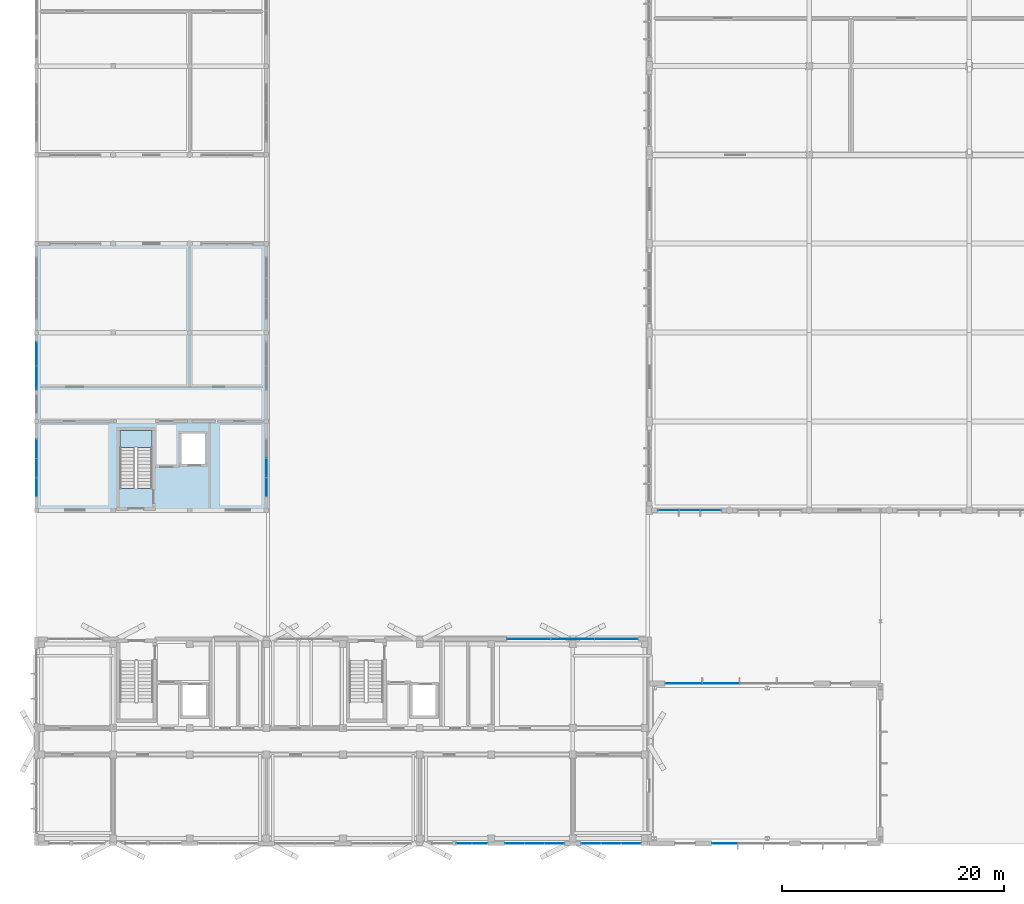
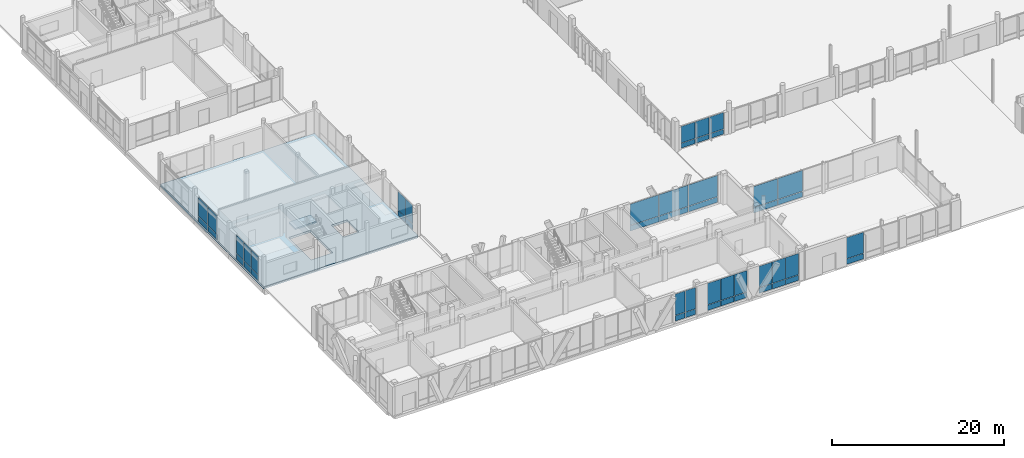
# One storey, part 177 of 233: 48 plates, 2 slabs, 11 elements without a shape of their own.
"""IFC4 building model written with IfcOpenShell, lengths in metres."""

from ifc_helpers import new_model, si_unit, direction, frame, origin, origin_2d, place, context, subcontext, project, spatial, polyline, rectangle, outline, extrude, material, layer, layer_set, type_object, element, aggregate, save


model = new_model("IFC4")

# Units and contexts
model_context = context("Model", 3, precision=1e-05, world=origin(), true_north=direction((0.0, 1.0)))
body_context = subcontext(model_context, "Body", "Model", "MODEL_VIEW")
ifc_project = project(units=[si_unit("LENGTHUNIT", "METRE"), si_unit("AREAUNIT", "SQUARE_METRE"), si_unit("VOLUMEUNIT", "CUBIC_METRE"), si_unit("PLANEANGLEUNIT", "RADIAN"), si_unit("MASSUNIT", "GRAM", prefix="KILO")], contexts=[model_context])

# Site, building, storey
site_placement = place(None, origin())
site = spatial("IfcSite", under=ifc_project, at=site_placement, CompositionType="ELEMENT")
building_placement = place(site_placement, origin())
building = spatial("IfcBuilding", under=site, at=building_placement, Name="Zavelmont Quarter", CompositionType="ELEMENT")
storey_placement = place(building_placement, origin())
storey = spatial("IfcBuildingStorey", under=building, at=storey_placement, Name="L00", CompositionType="ELEMENT", Elevation=0.0)

# Curtain wall, plates
ifc_material_1 = material(Name="Thermally broken aluminium and double low-E safety glazing", Category="aluminium")
curtain_wall_type_1 = type_object("IfcCurtainWallType", Name="CW-285X395", PredefinedType="NOTDEFINED", material=ifc_material_1)
curtain_wall_1_placement = place(storey_placement, origin())
curtain_wall_1 = element("IfcCurtainWall", 1, at=curtain_wall_1_placement, inside=storey, type_object=curtain_wall_type_1, Name="L00 unitised curtain wall CW-285X395", PredefinedType="NOTDEFINED")
ifc_material_2 = material(Name="Insulated anodised-aluminium spandrel panel", Category="aluminium")
ifc_layer_1 = layer(ifc_material_2, 0.0400390625)
ifc_layer_set_1 = layer_set([ifc_layer_1], Name="Insulated anodised-aluminium spandrel panel")
plate_type_1 = type_object("IfcPlateType", Name="CWP-SPD-1335X760", PredefinedType="CURTAIN_PANEL", material=ifc_layer_set_1)
plate_1_placement = place(storey_placement, frame((38.527587890625, 0.0, 0.06005859375), z_axis=(0.0, 0.0, 1.0), x_axis=(1.0, 0.0, 0.0)))
plate_1 = element("IfcPlate", 2, at=plate_1_placement, type_object=plate_type_1, Name="CW-285X395 panel 1.1", PredefinedType="CURTAIN_PANEL", context=body_context, shape_type="SweptSolid", body=[
    extrude(rectangle(XDim=1.3349609375, YDim=0.0400390625, at=origin_2d()), origin(), (0.0, 0.0, 1.0), 0.760009765625),
])
plate_2_placement = place(storey_placement, frame((39.922607421875, 0.0, 0.06005859375), z_axis=(0.0, 0.0, 1.0), x_axis=(1.0, 0.0, 0.0)))
plate_2 = element("IfcPlate", 3, at=plate_2_placement, type_object=plate_type_1, Name="CW-285X395 panel 2.1", PredefinedType="CURTAIN_PANEL", context=body_context, shape_type="SweptSolid", body=[
    extrude(rectangle(XDim=1.3349609375, YDim=0.0400390625, at=origin_2d()), origin(), (0.0, 0.0, 1.0), 0.760009765625),
])

curtain_wall_type_2 = type_object("IfcCurtainWallType", Name="CW-520X356", PredefinedType="NOTDEFINED", material=ifc_material_1)
curtain_wall_2_placement = place(storey_placement, origin())
curtain_wall_2 = element("IfcCurtainWall", 4, at=curtain_wall_2_placement, inside=storey, type_object=curtain_wall_type_2, Name="L00 unitised curtain wall CW-520X356", PredefinedType="NOTDEFINED")
ifc_layer_2 = layer(ifc_material_2, 0.0400390625)
ifc_layer_set_2 = layer_set([ifc_layer_2], Name="Insulated anodised-aluminium spandrel panel")
plate_type_2 = type_object("IfcPlateType", Name="CWP-SPD-1645X760", PredefinedType="CURTAIN_PANEL", material=ifc_layer_set_2)
plate_3_placement = place(storey_placement, frame((0.0, 32.081787109375, 0.06005859375), z_axis=(0.0, 0.0, 1.0), x_axis=(0.0, 1.0, 0.0)))
plate_3 = element("IfcPlate", 5, at=plate_3_placement, type_object=plate_type_2, Name="CW-520X356 panel 1.1", PredefinedType="CURTAIN_PANEL", context=body_context, shape_type="SweptSolid", body=[
    extrude(rectangle(XDim=1.643310546875, YDim=0.0400390625, at=origin_2d()), origin(), (0.0, 0.0, 1.0), 0.760009765625),
])
plate_4_placement = place(storey_placement, frame((0.0, 35.518310546875, 0.06005859375), z_axis=(0.0, 0.0, 1.0), x_axis=(0.0, 1.0, 0.0)))
plate_4 = element("IfcPlate", 6, at=plate_4_placement, type_object=plate_type_2, Name="CW-520X356 panel 3.1", PredefinedType="CURTAIN_PANEL", context=body_context, shape_type="SweptSolid", body=[
    extrude(rectangle(XDim=1.643310546875, YDim=0.0400390625, at=origin_2d()), origin(), (0.0, 0.0, 1.0), 0.760009765625),
])

# Curtain wall, plate
curtain_wall_3_placement = place(storey_placement, origin())
curtain_wall_3 = element("IfcCurtainWall", 7, at=curtain_wall_3_placement, inside=storey, type_object=curtain_wall_type_2, Name="L00 unitised curtain wall CW-520X356", PredefinedType="NOTDEFINED")
plate_5_placement = place(storey_placement, frame((20.699951171875, 32.081787109375, 0.06005859375), z_axis=(0.0, 0.0, 1.0), x_axis=(0.0, 1.0, 0.0)))
plate_5 = element("IfcPlate", 8, at=plate_5_placement, type_object=plate_type_2, Name="CW-520X356 panel 1.1", PredefinedType="CURTAIN_PANEL", context=body_context, shape_type="SweptSolid", body=[
    extrude(rectangle(XDim=1.643310546875, YDim=0.0400390625, at=origin_2d()), origin(), (0.0, 0.0, 1.0), 0.760009765625),
])

# Plate
ifc_layer_3 = layer(ifc_material_2, 0.0400390625)
ifc_layer_set_3 = layer_set([ifc_layer_3], Name="Insulated anodised-aluminium spandrel panel")
plate_type_3 = type_object("IfcPlateType", Name="CWP-SPD-1675X760", PredefinedType="CURTAIN_PANEL", material=ifc_layer_set_3)
plate_6_placement = place(storey_placement, frame((0.0, 33.800048828125, 0.06005859375), z_axis=(0.0, 0.0, 1.0), x_axis=(0.0, 1.0, 0.0)))
plate_6 = element("IfcPlate", 9, at=plate_6_placement, type_object=plate_type_3, Name="CW-520X356 panel 2.1", PredefinedType="CURTAIN_PANEL", context=body_context, shape_type="SweptSolid", body=[
    extrude(rectangle(XDim=1.67333984375, YDim=0.0400390625, at=origin_2d()), origin(), (0.0, 0.0, 1.0), 0.760009765625),
])

plate_7_placement = place(storey_placement, frame((20.699951171875, 33.800048828125, 0.06005859375), z_axis=(0.0, 0.0, 1.0), x_axis=(0.0, 1.0, 0.0)))
plate_7 = element("IfcPlate", 10, at=plate_7_placement, type_object=plate_type_3, Name="CW-520X356 panel 2.1", PredefinedType="CURTAIN_PANEL", context=body_context, shape_type="SweptSolid", body=[
    extrude(rectangle(XDim=1.67333984375, YDim=0.0400390625, at=origin_2d()), origin(), (0.0, 0.0, 1.0), 0.760009765625),
])

# Curtain wall, plates
curtain_wall_type_3 = type_object("IfcCurtainWallType", Name="CW-540X395", PredefinedType="NOTDEFINED", material=ifc_material_1)
curtain_wall_4_placement = place(storey_placement, origin())
curtain_wall_4 = element("IfcCurtainWall", 11, at=curtain_wall_4_placement, inside=storey, type_object=curtain_wall_type_3, Name="L00 unitised curtain wall CW-540X395", PredefinedType="NOTDEFINED")
ifc_layer_4 = layer(ifc_material_2, 0.0400390625)
ifc_layer_set_4 = layer_set([ifc_layer_4], Name="Insulated anodised-aluminium spandrel panel")
plate_type_4 = type_object("IfcPlateType", Name="CWP-SPD-1710X760", PredefinedType="CURTAIN_PANEL", material=ifc_layer_set_4)
plate_8_placement = place(storey_placement, frame((43.06494140625, 0.0, 0.06005859375), z_axis=(0.0, 0.0, 1.0), x_axis=(1.0, 0.0, 0.0)))
plate_8 = element("IfcPlate", 12, at=plate_8_placement, type_object=plate_type_4, Name="CW-540X395 panel 1.1", PredefinedType="CURTAIN_PANEL", context=body_context, shape_type="SweptSolid", body=[
    extrude(rectangle(XDim=1.7099609375, YDim=0.0400390625, at=origin_2d()), origin(), (0.0, 0.0, 1.0), 0.760009765625),
])
plate_9_placement = place(storey_placement, frame((46.635009765625, 0.0, 0.06005859375), z_axis=(0.0, 0.0, 1.0), x_axis=(1.0, 0.0, 0.0)))
plate_9 = element("IfcPlate", 13, at=plate_9_placement, type_object=plate_type_4, Name="CW-540X395 panel 3.1", PredefinedType="CURTAIN_PANEL", context=body_context, shape_type="SweptSolid", body=[
    extrude(rectangle(XDim=1.7099609375, YDim=0.0400390625, at=origin_2d()), origin(), (0.0, 0.0, 1.0), 0.760009765625),
])

curtain_wall_5_placement = place(storey_placement, origin())
curtain_wall_5 = element("IfcCurtainWall", 14, at=curtain_wall_5_placement, inside=storey, type_object=curtain_wall_type_3, Name="L00 unitised curtain wall CW-540X395", PredefinedType="NOTDEFINED")
plate_10_placement = place(storey_placement, frame((49.965087890625, 0.0, 0.06005859375), z_axis=(0.0, 0.0, 1.0), x_axis=(1.0, 0.0, 0.0)))
plate_10 = element("IfcPlate", 15, at=plate_10_placement, type_object=plate_type_4, Name="CW-540X395 panel 1.1", PredefinedType="CURTAIN_PANEL", context=body_context, shape_type="SweptSolid", body=[
    extrude(rectangle(XDim=1.7099609375, YDim=0.0400390625, at=origin_2d()), origin(), (0.0, 0.0, 1.0), 0.760009765625),
])
plate_11_placement = place(storey_placement, frame((53.534912109375, 0.0, 0.06005859375), z_axis=(0.0, 0.0, 1.0), x_axis=(1.0, 0.0, 0.0)))
plate_11 = element("IfcPlate", 16, at=plate_11_placement, type_object=plate_type_4, Name="CW-540X395 panel 3.1", PredefinedType="CURTAIN_PANEL", context=body_context, shape_type="SweptSolid", body=[
    extrude(rectangle(XDim=1.7099609375, YDim=0.0400390625, at=origin_2d()), origin(), (0.0, 0.0, 1.0), 0.760009765625),
])

# Plate
ifc_layer_5 = layer(ifc_material_2, 0.0400390625)
ifc_layer_set_5 = layer_set([ifc_layer_5], Name="Insulated anodised-aluminium spandrel panel")
plate_type_5 = type_object("IfcPlateType", Name="CWP-SPD-1740X760", PredefinedType="CURTAIN_PANEL", material=ifc_layer_set_5)
plate_12_placement = place(storey_placement, frame((44.85009765625, 0.0, 0.06005859375), z_axis=(0.0, 0.0, 1.0), x_axis=(1.0, 0.0, 0.0)))
plate_12 = element("IfcPlate", 17, at=plate_12_placement, type_object=plate_type_5, Name="CW-540X395 panel 2.1", PredefinedType="CURTAIN_PANEL", context=body_context, shape_type="SweptSolid", body=[
    extrude(rectangle(XDim=1.739990234375, YDim=0.0400390625, at=origin_2d()), origin(), (0.0, 0.0, 1.0), 0.760009765625),
])

plate_13_placement = place(storey_placement, frame((51.75, 0.0, 0.06005859375), z_axis=(0.0, 0.0, 1.0), x_axis=(1.0, 0.0, 0.0)))
plate_13 = element("IfcPlate", 18, at=plate_13_placement, type_object=plate_type_5, Name="CW-540X395 panel 2.1", PredefinedType="CURTAIN_PANEL", context=body_context, shape_type="SweptSolid", body=[
    extrude(rectangle(XDim=1.739990234375, YDim=0.0400390625, at=origin_2d()), origin(), (0.0, 0.0, 1.0), 0.760009765625),
])

# Curtain wall, plates
curtain_wall_type_4 = type_object("IfcCurtainWallType", Name="CW-580X321", PredefinedType="NOTDEFINED", material=ifc_material_1)
curtain_wall_6_placement = place(storey_placement, origin())
curtain_wall_6 = element("IfcCurtainWall", 19, at=curtain_wall_6_placement, inside=storey, type_object=curtain_wall_type_4, Name="L00 unitised curtain wall CW-580X321", PredefinedType="NOTDEFINED")
ifc_layer_6 = layer(ifc_material_2, 0.0400390625)
ifc_layer_set_6 = layer_set([ifc_layer_6], Name="Insulated anodised-aluminium spandrel panel")
plate_type_6 = type_object("IfcPlateType", Name="CWP-SPD-1830X665", PredefinedType="CURTAIN_PANEL", material=ifc_layer_set_6)
plate_14_placement = place(storey_placement, frame((56.88427734375, 30.0, 0.070068359375), z_axis=(0.0, 0.0, 1.0), x_axis=(1.0, 0.0, 0.0)))
plate_14 = element("IfcPlate", 20, at=plate_14_placement, type_object=plate_type_6, Name="CW-580X321 panel 1.1", PredefinedType="CURTAIN_PANEL", context=body_context, shape_type="SweptSolid", body=[
    extrude(rectangle(XDim=1.828369140625, YDim=0.0400390625, at=origin_2d()), origin(), (0.0, 0.0, 1.0), 0.6650390625),
])
plate_15_placement = place(storey_placement, frame((60.7158203125, 30.0, 0.070068359375), z_axis=(0.0, 0.0, 1.0), x_axis=(1.0, 0.0, 0.0)))
plate_15 = element("IfcPlate", 21, at=plate_15_placement, type_object=plate_type_6, Name="CW-580X321 panel 3.1", PredefinedType="CURTAIN_PANEL", context=body_context, shape_type="SweptSolid", body=[
    extrude(rectangle(XDim=1.828369140625, YDim=0.0400390625, at=origin_2d()), origin(), (0.0, 0.0, 1.0), 0.6650390625),
])
ifc_layer_7 = layer(ifc_material_2, 0.0400390625)
ifc_layer_set_7 = layer_set([ifc_layer_7], Name="Insulated anodised-aluminium spandrel panel")
plate_type_7 = type_object("IfcPlateType", Name="CWP-SPD-1865X665", PredefinedType="CURTAIN_PANEL", material=ifc_layer_set_7)
plate_16_placement = place(storey_placement, frame((58.800048828125, 30.0, 0.070068359375), z_axis=(0.0, 0.0, 1.0), x_axis=(1.0, 0.0, 0.0)))
plate_16 = element("IfcPlate", 22, at=plate_16_placement, type_object=plate_type_7, Name="CW-580X321 panel 2.1", PredefinedType="CURTAIN_PANEL", context=body_context, shape_type="SweptSolid", body=[
    extrude(rectangle(XDim=1.86328125, YDim=0.0400390625, at=origin_2d()), origin(), (0.0, 0.0, 1.0), 0.6650390625),
])

curtain_wall_type_5 = type_object("IfcCurtainWallType", Name="CW-440X356", PredefinedType="NOTDEFINED", material=ifc_material_1)
curtain_wall_7_placement = place(storey_placement, origin())
curtain_wall_7 = element("IfcCurtainWall", 23, at=curtain_wall_7_placement, inside=storey, type_object=curtain_wall_type_5, Name="L00 unitised curtain wall CW-440X356", PredefinedType="NOTDEFINED")
ifc_layer_8 = layer(ifc_material_2, 0.0400390625)
ifc_layer_set_8 = layer_set([ifc_layer_8], Name="Insulated anodised-aluminium spandrel panel")
plate_type_8 = type_object("IfcPlateType", Name="CWP-SPD-2110X760", PredefinedType="CURTAIN_PANEL", material=ifc_layer_set_8)
plate_17_placement = place(storey_placement, frame((0.0, 41.9150390625, 0.06005859375), z_axis=(0.0, 0.0, 1.0), x_axis=(0.0, 1.0, 0.0)))
plate_17 = element("IfcPlate", 24, at=plate_17_placement, type_object=plate_type_8, Name="CW-440X356 panel 1.1", PredefinedType="CURTAIN_PANEL", context=body_context, shape_type="SweptSolid", body=[
    extrude(rectangle(XDim=2.110107421875, YDim=0.0400390625, at=origin_2d()), origin(), (0.0, 0.0, 1.0), 0.760009765625),
])
plate_18_placement = place(storey_placement, frame((0.0, 44.0849609375, 0.06005859375), z_axis=(0.0, 0.0, 1.0), x_axis=(0.0, 1.0, 0.0)))
plate_18 = element("IfcPlate", 25, at=plate_18_placement, type_object=plate_type_8, Name="CW-440X356 panel 2.1", PredefinedType="CURTAIN_PANEL", context=body_context, shape_type="SweptSolid", body=[
    extrude(rectangle(XDim=2.110107421875, YDim=0.0400390625, at=origin_2d()), origin(), (0.0, 0.0, 1.0), 0.760009765625),
])

# Curtain wall, plate
curtain_wall_type_6 = type_object("IfcCurtainWallType", Name="CW-700X390", PredefinedType="NOTDEFINED", material=ifc_material_1)
curtain_wall_8_placement = place(storey_placement, origin())
curtain_wall_8 = element("IfcCurtainWall", 26, at=curtain_wall_8_placement, inside=storey, type_object=curtain_wall_type_6, Name="L00 unitised curtain wall CW-700X390", PredefinedType="NOTDEFINED")
ifc_layer_9 = layer(ifc_material_2, 0.0400390625)
ifc_layer_set_9 = layer_set([ifc_layer_9], Name="Insulated anodised-aluminium spandrel panel")
plate_type_9 = type_object("IfcPlateType", Name="CWP-SPD-2245X760", PredefinedType="CURTAIN_PANEL", material=ifc_layer_set_9)
plate_19_placement = place(storey_placement, frame((61.981689453125, 0.0, 0.06005859375), z_axis=(0.0, 0.0, 1.0), x_axis=(1.0, 0.0, 0.0)))
plate_19 = element("IfcPlate", 27, at=plate_19_placement, type_object=plate_type_9, Name="CW-700X390 panel 1.1", PredefinedType="CURTAIN_PANEL", context=body_context, shape_type="SweptSolid", body=[
    extrude(rectangle(XDim=2.243408203125, YDim=0.0400390625, at=origin_2d()), origin(), (0.0, 0.0, 1.0), 0.760009765625),
])

# Curtain wall, plates
curtain_wall_type_7 = type_object("IfcCurtainWallType", Name="CW-1340X390", PredefinedType="NOTDEFINED", material=ifc_material_1)
curtain_wall_9_placement = place(storey_placement, origin())
curtain_wall_9 = element("IfcCurtainWall", 28, at=curtain_wall_9_placement, inside=storey, type_object=curtain_wall_type_7, Name="L00 unitised curtain wall CW-1340X390", PredefinedType="NOTDEFINED")
ifc_layer_10 = layer(ifc_material_2, 0.0400390625)
ifc_layer_set_10 = layer_set([ifc_layer_10], Name="Insulated anodised-aluminium spandrel panel")
plate_type_10 = type_object("IfcPlateType", Name="CWP-SPD-3260X760", PredefinedType="CURTAIN_PANEL", material=ifc_layer_set_10)
plate_20_placement = place(storey_placement, frame((58.2900390625, 14.39990234375, 0.06005859375), z_axis=(0.0, 0.0, 1.0), x_axis=(1.0, 0.0, 0.0)))
plate_20 = element("IfcPlate", 29, at=plate_20_placement, type_object=plate_type_10, Name="CW-1340X390 panel 1.1", PredefinedType="CURTAIN_PANEL", context=body_context, shape_type="SweptSolid", body=[
    extrude(rectangle(XDim=3.260009765625, YDim=0.0400390625, at=origin_2d()), origin(), (0.0, 0.0, 1.0), 0.760009765625),
])
ifc_layer_11 = layer(ifc_material_2, 0.0400390625)
ifc_layer_set_11 = layer_set([ifc_layer_11], Name="Insulated anodised-aluminium spandrel panel")
plate_type_11 = type_object("IfcPlateType", Name="CWP-SPD-3290X760", PredefinedType="CURTAIN_PANEL", material=ifc_layer_set_11)
plate_21_placement = place(storey_placement, frame((61.625, 14.39990234375, 0.06005859375), z_axis=(0.0, 0.0, 1.0), x_axis=(1.0, 0.0, 0.0)))
plate_21 = element("IfcPlate", 30, at=plate_21_placement, type_object=plate_type_11, Name="CW-1340X390 panel 2.1", PredefinedType="CURTAIN_PANEL", context=body_context, shape_type="SweptSolid", body=[
    extrude(rectangle(XDim=3.2900390625, YDim=0.0400390625, at=origin_2d()), origin(), (0.0, 0.0, 1.0), 0.760009765625),
])

curtain_wall_type_8 = type_object("IfcCurtainWallType", Name="CW-1185X395", PredefinedType="NOTDEFINED", material=ifc_material_1)
curtain_wall_10_placement = place(storey_placement, origin())
curtain_wall_10 = element("IfcCurtainWall", 31, at=curtain_wall_10_placement, inside=storey, type_object=curtain_wall_type_8, Name="L00 unitised curtain wall CW-1185X395", PredefinedType="NOTDEFINED")
ifc_layer_12 = layer(ifc_material_2, 0.0400390625)
ifc_layer_set_12 = layer_set([ifc_layer_12], Name="Insulated anodised-aluminium spandrel panel")
plate_type_12 = type_object("IfcPlateType", Name="CWP-SPD-3860X760", PredefinedType="CURTAIN_PANEL", material=ifc_layer_set_12)
plate_22_placement = place(storey_placement, frame((44.340087890625, 18.39990234375, 0.06005859375), z_axis=(0.0, 0.0, 1.0), x_axis=(1.0, 0.0, 0.0)))
plate_22 = element("IfcPlate", 32, at=plate_22_placement, type_object=plate_type_12, Name="CW-1185X395 panel 1.1", PredefinedType="CURTAIN_PANEL", context=body_context, shape_type="SweptSolid", body=[
    extrude(rectangle(XDim=3.860107421875, YDim=0.0400390625, at=origin_2d()), origin(), (0.0, 0.0, 1.0), 0.760009765625),
])
plate_23_placement = place(storey_placement, frame((52.2099609375, 18.39990234375, 0.06005859375), z_axis=(0.0, 0.0, 1.0), x_axis=(1.0, 0.0, 0.0)))
plate_23 = element("IfcPlate", 33, at=plate_23_placement, type_object=plate_type_12, Name="CW-1185X395 panel 3.1", PredefinedType="CURTAIN_PANEL", context=body_context, shape_type="SweptSolid", body=[
    extrude(rectangle(XDim=3.860107421875, YDim=0.0400390625, at=origin_2d()), origin(), (0.0, 0.0, 1.0), 0.760009765625),
])
ifc_layer_13 = layer(ifc_material_2, 0.0400390625)
ifc_layer_set_13 = layer_set([ifc_layer_13], Name="Insulated anodised-aluminium spandrel panel")
plate_type_13 = type_object("IfcPlateType", Name="CWP-SPD-3890X760", PredefinedType="CURTAIN_PANEL", material=ifc_layer_set_13)
plate_24_placement = place(storey_placement, frame((48.27490234375, 18.39990234375, 0.06005859375), z_axis=(0.0, 0.0, 1.0), x_axis=(1.0, 0.0, 0.0)))
plate_24 = element("IfcPlate", 34, at=plate_24_placement, type_object=plate_type_13, Name="CW-1185X395 panel 2.1", PredefinedType="CURTAIN_PANEL", context=body_context, shape_type="SweptSolid", body=[
    extrude(rectangle(XDim=3.889892578125, YDim=0.0400390625, at=origin_2d()), origin(), (0.0, 0.0, 1.0), 0.760009765625),
])

# Plate
ifc_material_3 = material(Name="Double low-E insulated vision glass", Category="glass")
ifc_layer_14 = layer(ifc_material_3, 0.028076171875)
ifc_layer_set_14 = layer_set([ifc_layer_14], Name="Double low-E insulated vision glass")
plate_type_14 = type_object("IfcPlateType", Name="CWP-VIS-1335X3010", PredefinedType="CURTAIN_PANEL", material=ifc_layer_set_14)
plate_25_placement = place(storey_placement, frame((38.527587890625, 0.0, 0.8798828125), z_axis=(0.0, 0.0, 1.0), x_axis=(1.0, 0.0, 0.0)))
plate_25 = element("IfcPlate", 35, at=plate_25_placement, type_object=plate_type_14, Name="CW-285X395 panel 1.2", PredefinedType="CURTAIN_PANEL", context=body_context, shape_type="SweptSolid", body=[
    extrude(rectangle(XDim=1.3349609375, YDim=0.028076171875, at=origin_2d()), origin(), (0.0, 0.0, 1.0), 3.010009765625),
])

plate_26_placement = place(storey_placement, frame((39.922607421875, 0.0, 0.8798828125), z_axis=(0.0, 0.0, 1.0), x_axis=(1.0, 0.0, 0.0)))
plate_26 = element("IfcPlate", 36, at=plate_26_placement, type_object=plate_type_14, Name="CW-285X395 panel 2.2", PredefinedType="CURTAIN_PANEL", context=body_context, shape_type="SweptSolid", body=[
    extrude(rectangle(XDim=1.3349609375, YDim=0.028076171875, at=origin_2d()), origin(), (0.0, 0.0, 1.0), 3.010009765625),
])

aggregate(curtain_wall_1, [plate_1, plate_25, plate_2, plate_26])

ifc_layer_15 = layer(ifc_material_3, 0.028076171875)
ifc_layer_set_15 = layer_set([ifc_layer_15], Name="Double low-E insulated vision glass")
plate_type_15 = type_object("IfcPlateType", Name="CWP-VIS-1645X2620", PredefinedType="CURTAIN_PANEL", material=ifc_layer_set_15)
plate_27_placement = place(storey_placement, frame((0.0, 32.081787109375, 0.8798828125), z_axis=(0.0, 0.0, 1.0), x_axis=(0.0, 1.0, 0.0)))
plate_27 = element("IfcPlate", 37, at=plate_27_placement, type_object=plate_type_15, Name="CW-520X356 panel 1.2", PredefinedType="CURTAIN_PANEL", context=body_context, shape_type="SweptSolid", body=[
    extrude(rectangle(XDim=1.643310546875, YDim=0.028076171875, at=origin_2d()), origin(), (0.0, 0.0, 1.0), 2.6201171875),
])

plate_28_placement = place(storey_placement, frame((0.0, 35.518310546875, 0.8798828125), z_axis=(0.0, 0.0, 1.0), x_axis=(0.0, 1.0, 0.0)))
plate_28 = element("IfcPlate", 38, at=plate_28_placement, type_object=plate_type_15, Name="CW-520X356 panel 3.2", PredefinedType="CURTAIN_PANEL", context=body_context, shape_type="SweptSolid", body=[
    extrude(rectangle(XDim=1.643310546875, YDim=0.028076171875, at=origin_2d()), origin(), (0.0, 0.0, 1.0), 2.6201171875),
])

plate_29_placement = place(storey_placement, frame((20.699951171875, 32.081787109375, 0.8798828125), z_axis=(0.0, 0.0, 1.0), x_axis=(0.0, 1.0, 0.0)))
plate_29 = element("IfcPlate", 39, at=plate_29_placement, type_object=plate_type_15, Name="CW-520X356 panel 1.2", PredefinedType="CURTAIN_PANEL", context=body_context, shape_type="SweptSolid", body=[
    extrude(rectangle(XDim=1.643310546875, YDim=0.028076171875, at=origin_2d()), origin(), (0.0, 0.0, 1.0), 2.6201171875),
])

ifc_layer_16 = layer(ifc_material_3, 0.028076171875)
ifc_layer_set_16 = layer_set([ifc_layer_16], Name="Double low-E insulated vision glass")
plate_type_16 = type_object("IfcPlateType", Name="CWP-VIS-1675X2620", PredefinedType="CURTAIN_PANEL", material=ifc_layer_set_16)
plate_30_placement = place(storey_placement, frame((0.0, 33.800048828125, 0.8798828125), z_axis=(0.0, 0.0, 1.0), x_axis=(0.0, 1.0, 0.0)))
plate_30 = element("IfcPlate", 40, at=plate_30_placement, type_object=plate_type_16, Name="CW-520X356 panel 2.2", PredefinedType="CURTAIN_PANEL", context=body_context, shape_type="SweptSolid", body=[
    extrude(rectangle(XDim=1.67333984375, YDim=0.028076171875, at=origin_2d()), origin(), (0.0, 0.0, 1.0), 2.6201171875),
])

aggregate(curtain_wall_2, [plate_3, plate_27, plate_6, plate_30, plate_4, plate_28])

plate_31_placement = place(storey_placement, frame((20.699951171875, 33.800048828125, 0.8798828125), z_axis=(0.0, 0.0, 1.0), x_axis=(0.0, 1.0, 0.0)))
plate_31 = element("IfcPlate", 41, at=plate_31_placement, type_object=plate_type_16, Name="CW-520X356 panel 2.2", PredefinedType="CURTAIN_PANEL", context=body_context, shape_type="SweptSolid", body=[
    extrude(rectangle(XDim=1.67333984375, YDim=0.028076171875, at=origin_2d()), origin(), (0.0, 0.0, 1.0), 2.6201171875),
])

aggregate(curtain_wall_3, [plate_5, plate_29, plate_7, plate_31])

ifc_layer_17 = layer(ifc_material_3, 0.028076171875)
ifc_layer_set_17 = layer_set([ifc_layer_17], Name="Double low-E insulated vision glass")
plate_type_17 = type_object("IfcPlateType", Name="CWP-VIS-1710X3010", PredefinedType="CURTAIN_PANEL", material=ifc_layer_set_17)
plate_32_placement = place(storey_placement, frame((43.06494140625, 0.0, 0.8798828125), z_axis=(0.0, 0.0, 1.0), x_axis=(1.0, 0.0, 0.0)))
plate_32 = element("IfcPlate", 42, at=plate_32_placement, type_object=plate_type_17, Name="CW-540X395 panel 1.2", PredefinedType="CURTAIN_PANEL", context=body_context, shape_type="SweptSolid", body=[
    extrude(rectangle(XDim=1.7099609375, YDim=0.028076171875, at=origin_2d()), origin(), (0.0, 0.0, 1.0), 3.010009765625),
])

plate_33_placement = place(storey_placement, frame((46.635009765625, 0.0, 0.8798828125), z_axis=(0.0, 0.0, 1.0), x_axis=(1.0, 0.0, 0.0)))
plate_33 = element("IfcPlate", 43, at=plate_33_placement, type_object=plate_type_17, Name="CW-540X395 panel 3.2", PredefinedType="CURTAIN_PANEL", context=body_context, shape_type="SweptSolid", body=[
    extrude(rectangle(XDim=1.7099609375, YDim=0.028076171875, at=origin_2d()), origin(), (0.0, 0.0, 1.0), 3.010009765625),
])

plate_34_placement = place(storey_placement, frame((49.965087890625, 0.0, 0.8798828125), z_axis=(0.0, 0.0, 1.0), x_axis=(1.0, 0.0, 0.0)))
plate_34 = element("IfcPlate", 44, at=plate_34_placement, type_object=plate_type_17, Name="CW-540X395 panel 1.2", PredefinedType="CURTAIN_PANEL", context=body_context, shape_type="SweptSolid", body=[
    extrude(rectangle(XDim=1.7099609375, YDim=0.028076171875, at=origin_2d()), origin(), (0.0, 0.0, 1.0), 3.010009765625),
])

plate_35_placement = place(storey_placement, frame((53.534912109375, 0.0, 0.8798828125), z_axis=(0.0, 0.0, 1.0), x_axis=(1.0, 0.0, 0.0)))
plate_35 = element("IfcPlate", 45, at=plate_35_placement, type_object=plate_type_17, Name="CW-540X395 panel 3.2", PredefinedType="CURTAIN_PANEL", context=body_context, shape_type="SweptSolid", body=[
    extrude(rectangle(XDim=1.7099609375, YDim=0.028076171875, at=origin_2d()), origin(), (0.0, 0.0, 1.0), 3.010009765625),
])

ifc_layer_18 = layer(ifc_material_3, 0.028076171875)
ifc_layer_set_18 = layer_set([ifc_layer_18], Name="Double low-E insulated vision glass")
plate_type_18 = type_object("IfcPlateType", Name="CWP-VIS-1740X3010", PredefinedType="CURTAIN_PANEL", material=ifc_layer_set_18)
plate_36_placement = place(storey_placement, frame((44.85009765625, 0.0, 0.8798828125), z_axis=(0.0, 0.0, 1.0), x_axis=(1.0, 0.0, 0.0)))
plate_36 = element("IfcPlate", 46, at=plate_36_placement, type_object=plate_type_18, Name="CW-540X395 panel 2.2", PredefinedType="CURTAIN_PANEL", context=body_context, shape_type="SweptSolid", body=[
    extrude(rectangle(XDim=1.739990234375, YDim=0.028076171875, at=origin_2d()), origin(), (0.0, 0.0, 1.0), 3.010009765625),
])

aggregate(curtain_wall_4, [plate_8, plate_32, plate_12, plate_36, plate_9, plate_33])

plate_37_placement = place(storey_placement, frame((51.75, 0.0, 0.8798828125), z_axis=(0.0, 0.0, 1.0), x_axis=(1.0, 0.0, 0.0)))
plate_37 = element("IfcPlate", 47, at=plate_37_placement, type_object=plate_type_18, Name="CW-540X395 panel 2.2", PredefinedType="CURTAIN_PANEL", context=body_context, shape_type="SweptSolid", body=[
    extrude(rectangle(XDim=1.739990234375, YDim=0.028076171875, at=origin_2d()), origin(), (0.0, 0.0, 1.0), 3.010009765625),
])

aggregate(curtain_wall_5, [plate_10, plate_34, plate_13, plate_37, plate_11, plate_35])

ifc_layer_19 = layer(ifc_material_3, 0.028076171875)
ifc_layer_set_19 = layer_set([ifc_layer_19], Name="Double low-E insulated vision glass")
plate_type_19 = type_object("IfcPlateType", Name="CWP-VIS-1830X2335", PredefinedType="CURTAIN_PANEL", material=ifc_layer_set_19)
plate_38_placement = place(storey_placement, frame((56.88427734375, 30.0, 0.804931640625), z_axis=(0.0, 0.0, 1.0), x_axis=(1.0, 0.0, 0.0)))
plate_38 = element("IfcPlate", 48, at=plate_38_placement, type_object=plate_type_19, Name="CW-580X321 panel 1.2", PredefinedType="CURTAIN_PANEL", context=body_context, shape_type="SweptSolid", body=[
    extrude(rectangle(XDim=1.828369140625, YDim=0.028076171875, at=origin_2d()), origin(), (0.0, 0.0, 1.0), 2.3349609375),
])

plate_39_placement = place(storey_placement, frame((60.7158203125, 30.0, 0.804931640625), z_axis=(0.0, 0.0, 1.0), x_axis=(1.0, 0.0, 0.0)))
plate_39 = element("IfcPlate", 49, at=plate_39_placement, type_object=plate_type_19, Name="CW-580X321 panel 3.2", PredefinedType="CURTAIN_PANEL", context=body_context, shape_type="SweptSolid", body=[
    extrude(rectangle(XDim=1.828369140625, YDim=0.028076171875, at=origin_2d()), origin(), (0.0, 0.0, 1.0), 2.3349609375),
])

ifc_layer_20 = layer(ifc_material_3, 0.028076171875)
ifc_layer_set_20 = layer_set([ifc_layer_20], Name="Double low-E insulated vision glass")
plate_type_20 = type_object("IfcPlateType", Name="CWP-VIS-1865X2335", PredefinedType="CURTAIN_PANEL", material=ifc_layer_set_20)
plate_40_placement = place(storey_placement, frame((58.800048828125, 30.0, 0.804931640625), z_axis=(0.0, 0.0, 1.0), x_axis=(1.0, 0.0, 0.0)))
plate_40 = element("IfcPlate", 50, at=plate_40_placement, type_object=plate_type_20, Name="CW-580X321 panel 2.2", PredefinedType="CURTAIN_PANEL", context=body_context, shape_type="SweptSolid", body=[
    extrude(rectangle(XDim=1.86328125, YDim=0.028076171875, at=origin_2d()), origin(), (0.0, 0.0, 1.0), 2.3349609375),
])

aggregate(curtain_wall_6, [plate_14, plate_38, plate_16, plate_40, plate_15, plate_39])

ifc_layer_21 = layer(ifc_material_3, 0.028076171875)
ifc_layer_set_21 = layer_set([ifc_layer_21], Name="Double low-E insulated vision glass")
plate_type_21 = type_object("IfcPlateType", Name="CWP-VIS-2110X2620", PredefinedType="CURTAIN_PANEL", material=ifc_layer_set_21)
plate_41_placement = place(storey_placement, frame((0.0, 41.9150390625, 0.8798828125), z_axis=(0.0, 0.0, 1.0), x_axis=(0.0, 1.0, 0.0)))
plate_41 = element("IfcPlate", 51, at=plate_41_placement, type_object=plate_type_21, Name="CW-440X356 panel 1.2", PredefinedType="CURTAIN_PANEL", context=body_context, shape_type="SweptSolid", body=[
    extrude(rectangle(XDim=2.110107421875, YDim=0.028076171875, at=origin_2d()), origin(), (0.0, 0.0, 1.0), 2.6201171875),
])

plate_42_placement = place(storey_placement, frame((0.0, 44.0849609375, 0.8798828125), z_axis=(0.0, 0.0, 1.0), x_axis=(0.0, 1.0, 0.0)))
plate_42 = element("IfcPlate", 52, at=plate_42_placement, type_object=plate_type_21, Name="CW-440X356 panel 2.2", PredefinedType="CURTAIN_PANEL", context=body_context, shape_type="SweptSolid", body=[
    extrude(rectangle(XDim=2.110107421875, YDim=0.028076171875, at=origin_2d()), origin(), (0.0, 0.0, 1.0), 2.6201171875),
])

aggregate(curtain_wall_7, [plate_17, plate_41, plate_18, plate_42])

ifc_layer_22 = layer(ifc_material_3, 0.028076171875)
ifc_layer_set_22 = layer_set([ifc_layer_22], Name="Double low-E insulated vision glass")
plate_type_22 = type_object("IfcPlateType", Name="CWP-VIS-2245X2960", PredefinedType="CURTAIN_PANEL", material=ifc_layer_set_22)
plate_43_placement = place(storey_placement, frame((61.981689453125, 0.0, 0.880126953125), z_axis=(0.0, 0.0, 1.0), x_axis=(1.0, 0.0, 0.0)))
plate_43 = element("IfcPlate", 53, at=plate_43_placement, type_object=plate_type_22, Name="CW-700X390 panel 1.2", PredefinedType="CURTAIN_PANEL", context=body_context, shape_type="SweptSolid", body=[
    extrude(rectangle(XDim=2.243408203125, YDim=0.028076171875, at=origin_2d()), origin(), (0.0, 0.0, 1.0), 2.9599609375),
])

aggregate(curtain_wall_8, [plate_19, plate_43])

ifc_layer_23 = layer(ifc_material_3, 0.028076171875)
ifc_layer_set_23 = layer_set([ifc_layer_23], Name="Double low-E insulated vision glass")
plate_type_23 = type_object("IfcPlateType", Name="CWP-VIS-3260X2960", PredefinedType="CURTAIN_PANEL", material=ifc_layer_set_23)
plate_44_placement = place(storey_placement, frame((58.2900390625, 14.39990234375, 0.880126953125), z_axis=(0.0, 0.0, 1.0), x_axis=(1.0, 0.0, 0.0)))
plate_44 = element("IfcPlate", 54, at=plate_44_placement, type_object=plate_type_23, Name="CW-1340X390 panel 1.2", PredefinedType="CURTAIN_PANEL", context=body_context, shape_type="SweptSolid", body=[
    extrude(rectangle(XDim=3.260009765625, YDim=0.028076171875, at=origin_2d()), origin(), (0.0, 0.0, 1.0), 2.9599609375),
])

ifc_layer_24 = layer(ifc_material_3, 0.028076171875)
ifc_layer_set_24 = layer_set([ifc_layer_24], Name="Double low-E insulated vision glass")
plate_type_24 = type_object("IfcPlateType", Name="CWP-VIS-3290X2960", PredefinedType="CURTAIN_PANEL", material=ifc_layer_set_24)
plate_45_placement = place(storey_placement, frame((61.625, 14.39990234375, 0.880126953125), z_axis=(0.0, 0.0, 1.0), x_axis=(1.0, 0.0, 0.0)))
plate_45 = element("IfcPlate", 55, at=plate_45_placement, type_object=plate_type_24, Name="CW-1340X390 panel 2.2", PredefinedType="CURTAIN_PANEL", context=body_context, shape_type="SweptSolid", body=[
    extrude(rectangle(XDim=3.2900390625, YDim=0.028076171875, at=origin_2d()), origin(), (0.0, 0.0, 1.0), 2.9599609375),
])

aggregate(curtain_wall_9, [plate_20, plate_44, plate_21, plate_45])

ifc_layer_25 = layer(ifc_material_3, 0.028076171875)
ifc_layer_set_25 = layer_set([ifc_layer_25], Name="Double low-E insulated vision glass")
plate_type_25 = type_object("IfcPlateType", Name="CWP-VIS-3860X3010", PredefinedType="CURTAIN_PANEL", material=ifc_layer_set_25)
plate_46_placement = place(storey_placement, frame((44.340087890625, 18.39990234375, 0.8798828125), z_axis=(0.0, 0.0, 1.0), x_axis=(1.0, 0.0, 0.0)))
plate_46 = element("IfcPlate", 56, at=plate_46_placement, type_object=plate_type_25, Name="CW-1185X395 panel 1.2", PredefinedType="CURTAIN_PANEL", context=body_context, shape_type="SweptSolid", body=[
    extrude(rectangle(XDim=3.860107421875, YDim=0.028076171875, at=origin_2d()), origin(), (0.0, 0.0, 1.0), 3.010009765625),
])

plate_47_placement = place(storey_placement, frame((52.2099609375, 18.39990234375, 0.8798828125), z_axis=(0.0, 0.0, 1.0), x_axis=(1.0, 0.0, 0.0)))
plate_47 = element("IfcPlate", 57, at=plate_47_placement, type_object=plate_type_25, Name="CW-1185X395 panel 3.2", PredefinedType="CURTAIN_PANEL", context=body_context, shape_type="SweptSolid", body=[
    extrude(rectangle(XDim=3.860107421875, YDim=0.028076171875, at=origin_2d()), origin(), (0.0, 0.0, 1.0), 3.010009765625),
])

ifc_layer_26 = layer(ifc_material_3, 0.028076171875)
ifc_layer_set_26 = layer_set([ifc_layer_26], Name="Double low-E insulated vision glass")
plate_type_26 = type_object("IfcPlateType", Name="CWP-VIS-3890X3010", PredefinedType="CURTAIN_PANEL", material=ifc_layer_set_26)
plate_48_placement = place(storey_placement, frame((48.27490234375, 18.39990234375, 0.8798828125), z_axis=(0.0, 0.0, 1.0), x_axis=(1.0, 0.0, 0.0)))
plate_48 = element("IfcPlate", 58, at=plate_48_placement, type_object=plate_type_26, Name="CW-1185X395 panel 2.2", PredefinedType="CURTAIN_PANEL", context=body_context, shape_type="SweptSolid", body=[
    extrude(rectangle(XDim=3.889892578125, YDim=0.028076171875, at=origin_2d()), origin(), (0.0, 0.0, 1.0), 3.010009765625),
])

aggregate(curtain_wall_10, [plate_22, plate_46, plate_24, plate_48, plate_23, plate_47])

# Slab
ifc_material_4 = material(Name="Concrete C40/50", Category="concrete")
ifc_layer_27 = layer(ifc_material_4, 0.320068359375)
ifc_layer_set_27 = layer_set([ifc_layer_27], Name="Concrete C40/50")
slab_type_1 = type_object("IfcSlabType", Name="SL-FL320", PredefinedType="FLOOR", material=ifc_layer_set_27)
slab_1_placement = place(storey_placement, frame((0.0, 0.0, -0.320068359375)))
element("IfcSlab", 59, at=slab_1_placement, inside=storey, type_object=slab_type_1, Name="L00 West Shops South slab SL-FL320", PredefinedType="FLOOR", context=body_context, shape_type="SweptSolid", body=[
    extrude(outline(polyline([(0.0, 30.0), (20.699951171875, 30.0), (20.699951171875, 54.0), (0.0, 54.0), (0.0, 30.0)]), holes=[polyline([(10.39990234375, 31.97509765625), (10.39990234375, 37.199951171875), (7.5, 37.199951171875), (7.5, 31.97509765625), (10.39990234375, 31.97509765625)]), polyline([(13.050048828125, 34.14990234375), (15.14990234375, 34.14990234375), (15.14990234375, 36.89990234375), (13.050048828125, 36.89990234375), (13.050048828125, 34.14990234375)])]), origin(), (0.0, 0.0, 1.0), 0.320068359375),
])

# Stair, slab
ifc_material_5 = material(Name="Concrete C35/45", Category="concrete")
stair_type = type_object("IfcStairType", Name="STR-1350-1692", PredefinedType="HALF_TURN_STAIR", material=ifc_material_5)
stair_placement = place(storey_placement, origin())
stair = element("IfcStair", 60, at=stair_placement, inside=storey, type_object=stair_type, Name="L00 protected stair ST13", PredefinedType="HALF_TURN_STAIR")
ifc_layer_28 = layer(ifc_material_5, 0.199951171875)
ifc_layer_set_28 = layer_set([ifc_layer_28], Name="Concrete C35/45")
slab_type_2 = type_object("IfcSlabType", Name="SL-LND200", PredefinedType="LANDING", material=ifc_layer_set_28)
slab_2_placement = place(storey_placement, frame((0.0, 0.0, 2.0)))
slab_2 = element("IfcSlab", 61, at=slab_2_placement, type_object=slab_type_2, Name="ST13 landing 1", PredefinedType="LANDING", context=body_context, shape_type="SweptSolid", body=[
    extrude(outline(polyline([(10.39990234375, 35.669921875), (10.39990234375, 37.199951171875), (7.5, 37.199951171875), (7.5, 35.669921875), (10.39990234375, 35.669921875)])), origin(), (0.0, 0.0, 1.0), 0.199951171875),
])
aggregate(stair, [slab_2])

save(model, "model.ifc")
